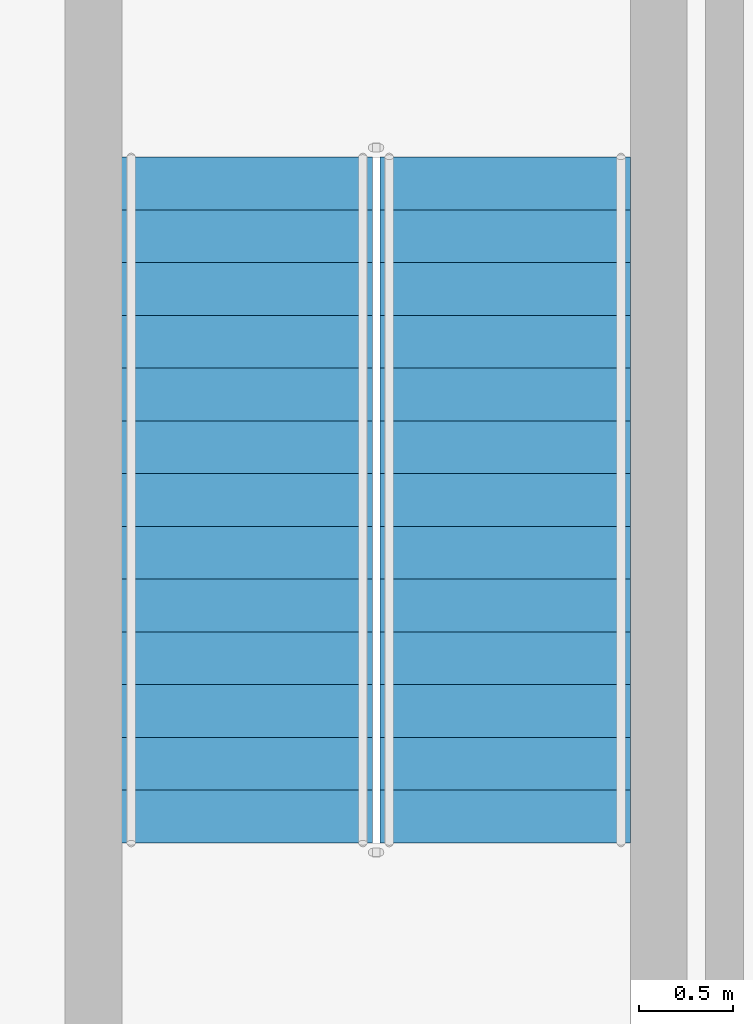
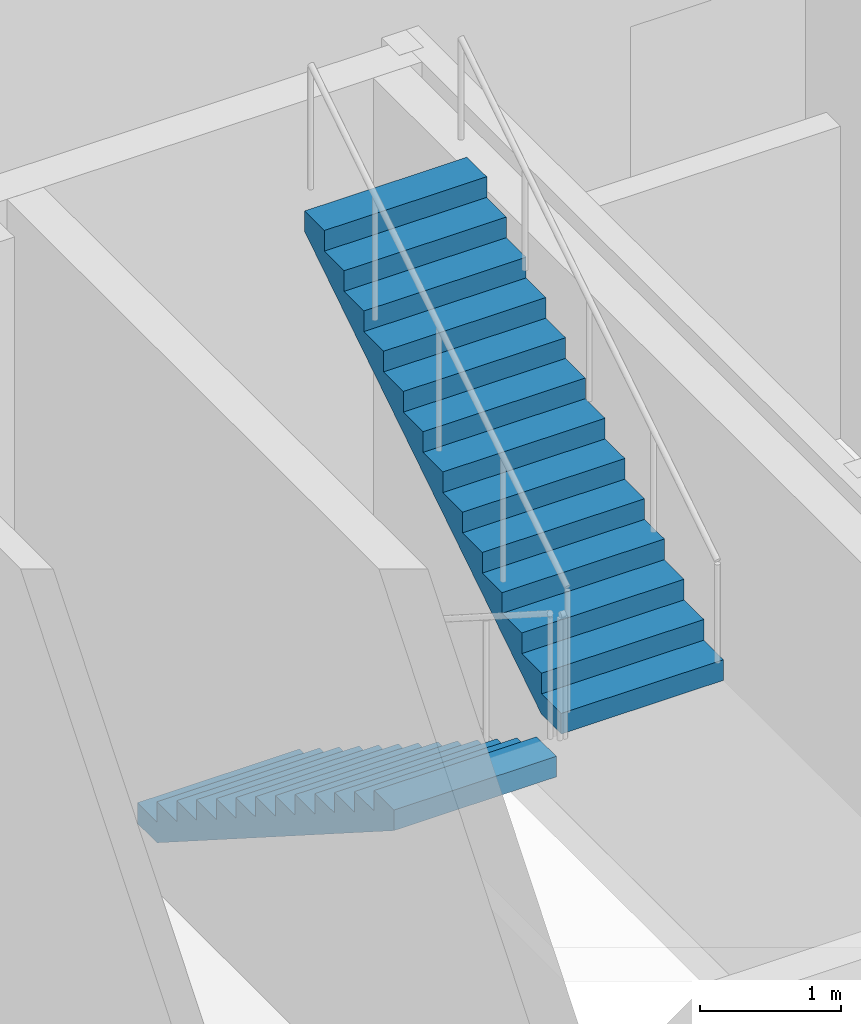
# One storey, part 20 of 35: 2 stair flights, 1 element without a shape of its own.
"""IFC4 building model written with IfcOpenShell, lengths in metres."""

from ifc_helpers import new_model, si_unit, direction, frame, origin, place, context, subcontext, project, spatial, triangles, source, transform, mapped, material, type_object, element, aggregate, save


model = new_model("IFC4")

# Units and contexts
model_context = context("Model", 3, precision=1e-05, world=origin(), true_north=direction((0.0, 1.0)))
body_context = subcontext(model_context, "Body", "Model", "MODEL_VIEW")
ifc_project = project(units=[si_unit("LENGTHUNIT", "METRE"), si_unit("AREAUNIT", "SQUARE_METRE"), si_unit("VOLUMEUNIT", "CUBIC_METRE"), si_unit("PLANEANGLEUNIT", "RADIAN"), si_unit("MASSUNIT", "GRAM", prefix="KILO")], contexts=[model_context])

# Site, building, storey
site_placement = place(None, origin())
site = spatial("IfcSite", under=ifc_project, at=site_placement, CompositionType="ELEMENT")
building_placement = place(site_placement, origin())
building = spatial("IfcBuilding", under=site, at=building_placement, Name="Ogive Portal Towers", CompositionType="ELEMENT")
storey_placement = place(building_placement, frame((0.0, 0.0, 23.5)))
storey = spatial("IfcBuildingStorey", under=building, at=storey_placement, Name="L04", CompositionType="ELEMENT", Elevation=23.5)

# Stair, stair flights
ifc_material = material(Name="Concrete C40/50", Category="concrete")
stair_type = type_object("IfcStairType", Name="INT-STAIR", PredefinedType="HALF_TURN_STAIR", material=ifc_material)
stair_placement = place(storey_placement, origin())
stair = element("IfcStair", 1, at=stair_placement, inside=storey, type_object=stair_type, Name="L04 Exit Stair ST-A4", PredefinedType="HALF_TURN_STAIR")
stair_flight_type = type_object("IfcStairFlightType", Name="INT-FLIGHT", PredefinedType="STRAIGHT", material=ifc_material)
shared_shape = source(origin(), body_context, "Body", "Tessellation", [
    triangles([(0.0, -0.6650390625, 0.0), (0.0, -0.384765625, 0.0), (0.0, -0.197021484375, 0.0), (0.0, -0.0830078125, 0.0), (0.0, -0.024658203125, 0.0), (0.0, -0.003173828125, 0.0), (0.0, 0.0, 0.0), (0.0, 0.003173828125, 0.0), (0.0, 0.024658203125, 0.0), (0.0, 0.0830078125, 0.0), (0.0, 0.197021484375, 0.0), (0.0, 0.384765625, 0.0), (0.0, 0.6650390625, 0.0), (0.0, -0.6650390625, 0.178466796875), (0.0, -0.384765625, 0.178466796875), (0.0, -0.197021484375, 0.178466796875), (0.0, -0.0830078125, 0.178466796875), (0.0, -0.024658203125, 0.178466796875), (0.0, -0.003173828125, 0.178466796875), (0.0, 0.0, 0.178466796875), (0.0, 0.003173828125, 0.178466796875), (0.0, 0.024658203125, 0.178466796875), (0.0, 0.0830078125, 0.178466796875), (0.0, 0.197021484375, 0.178466796875), (0.0, 0.384765625, 0.178466796875), (0.0, 0.6650390625, 0.178466796875), (0.280029296875, -0.6650390625, 0.178466796875), (0.280029296875, -0.384765625, 0.178466796875), (0.280029296875, -0.197021484375, 0.178466796875), (0.280029296875, -0.0830078125, 0.178466796875), (0.280029296875, -0.024658203125, 0.178466796875), (0.280029296875, -0.003173828125, 0.178466796875), (0.280029296875, 0.0, 0.178466796875), (0.280029296875, 0.003173828125, 0.178466796875), (0.280029296875, 0.024658203125, 0.178466796875), (0.280029296875, 0.0830078125, 0.178466796875), (0.280029296875, 0.197021484375, 0.178466796875), (0.280029296875, 0.384765625, 0.178466796875), (0.280029296875, 0.6650390625, 0.178466796875), (0.280029296875, -0.6650390625, 0.357177734375), (0.280029296875, -0.384765625, 0.357177734375), (0.280029296875, -0.197021484375, 0.357177734375), (0.280029296875, -0.0830078125, 0.357177734375), (0.280029296875, -0.024658203125, 0.357177734375), (0.280029296875, -0.003173828125, 0.357177734375), (0.280029296875, 0.0, 0.357177734375), (0.280029296875, 0.003173828125, 0.357177734375), (0.280029296875, 0.024658203125, 0.357177734375), (0.280029296875, 0.0830078125, 0.357177734375), (0.280029296875, 0.197021484375, 0.357177734375), (0.280029296875, 0.384765625, 0.357177734375), (0.280029296875, 0.6650390625, 0.357177734375), (0.56005859375, -0.6650390625, 0.357177734375), (0.56005859375, -0.384765625, 0.357177734375), (0.56005859375, -0.197021484375, 0.357177734375), (0.56005859375, -0.0830078125, 0.357177734375), (0.56005859375, -0.024658203125, 0.357177734375), (0.56005859375, -0.003173828125, 0.357177734375), (0.56005859375, 0.0, 0.357177734375), (0.56005859375, 0.003173828125, 0.357177734375), (0.56005859375, 0.024658203125, 0.357177734375), (0.56005859375, 0.0830078125, 0.357177734375), (0.56005859375, 0.197021484375, 0.357177734375), (0.56005859375, 0.384765625, 0.357177734375), (0.56005859375, 0.6650390625, 0.357177734375), (0.56005859375, -0.6650390625, 0.53564453125), (0.56005859375, -0.384765625, 0.53564453125), (0.56005859375, -0.197021484375, 0.53564453125), (0.56005859375, -0.0830078125, 0.53564453125), (0.56005859375, -0.024658203125, 0.53564453125), (0.56005859375, -0.003173828125, 0.53564453125), (0.56005859375, 0.0, 0.53564453125), (0.56005859375, 0.003173828125, 0.53564453125), (0.56005859375, 0.024658203125, 0.53564453125), (0.56005859375, 0.0830078125, 0.53564453125), (0.56005859375, 0.197021484375, 0.53564453125), (0.56005859375, 0.384765625, 0.53564453125), (0.56005859375, 0.6650390625, 0.53564453125), (0.840087890625, -0.6650390625, 0.53564453125), (0.840087890625, -0.384765625, 0.53564453125), (0.840087890625, -0.197021484375, 0.53564453125), (0.840087890625, -0.0830078125, 0.53564453125), (0.840087890625, -0.024658203125, 0.53564453125), (0.840087890625, -0.003173828125, 0.53564453125), (0.840087890625, 0.0, 0.53564453125), (0.840087890625, 0.003173828125, 0.53564453125), (0.840087890625, 0.024658203125, 0.53564453125), (0.840087890625, 0.0830078125, 0.53564453125), (0.840087890625, 0.197021484375, 0.53564453125), (0.840087890625, 0.384765625, 0.53564453125), (0.840087890625, 0.6650390625, 0.53564453125), (0.840087890625, -0.6650390625, 0.71435546875), (0.840087890625, -0.384765625, 0.71435546875), (0.840087890625, -0.197021484375, 0.71435546875), (0.840087890625, -0.0830078125, 0.71435546875), (0.840087890625, -0.024658203125, 0.71435546875), (0.840087890625, -0.003173828125, 0.71435546875), (0.840087890625, 0.0, 0.71435546875), (0.840087890625, 0.003173828125, 0.71435546875), (0.840087890625, 0.024658203125, 0.71435546875), (0.840087890625, 0.0830078125, 0.71435546875), (0.840087890625, 0.197021484375, 0.71435546875), (0.840087890625, 0.384765625, 0.71435546875), (0.840087890625, 0.6650390625, 0.71435546875), (1.1201171875, -0.6650390625, 0.71435546875), (1.1201171875, -0.384765625, 0.71435546875), (1.1201171875, -0.197021484375, 0.71435546875), (1.1201171875, -0.0830078125, 0.71435546875), (1.1201171875, -0.024658203125, 0.71435546875), (1.1201171875, -0.003173828125, 0.71435546875), (1.1201171875, 0.0, 0.71435546875), (1.1201171875, 0.003173828125, 0.71435546875), (1.1201171875, 0.024658203125, 0.71435546875), (1.1201171875, 0.0830078125, 0.71435546875), (1.1201171875, 0.197021484375, 0.71435546875), (1.1201171875, 0.384765625, 0.71435546875), (1.1201171875, 0.6650390625, 0.71435546875), (1.1201171875, -0.6650390625, 0.892822265625), (1.1201171875, -0.384765625, 0.892822265625), (1.1201171875, -0.197021484375, 0.892822265625), (1.1201171875, -0.0830078125, 0.892822265625), (1.1201171875, -0.024658203125, 0.892822265625), (1.1201171875, -0.003173828125, 0.892822265625), (1.1201171875, 0.0, 0.892822265625), (1.1201171875, 0.003173828125, 0.892822265625), (1.1201171875, 0.024658203125, 0.892822265625), (1.1201171875, 0.0830078125, 0.892822265625), (1.1201171875, 0.197021484375, 0.892822265625), (1.1201171875, 0.384765625, 0.892822265625), (1.1201171875, 0.6650390625, 0.892822265625), (1.39990234375, -0.6650390625, 0.892822265625), (1.39990234375, -0.384765625, 0.892822265625), (1.39990234375, -0.197021484375, 0.892822265625), (1.39990234375, -0.0830078125, 0.892822265625), (1.39990234375, -0.024658203125, 0.892822265625), (1.39990234375, -0.003173828125, 0.892822265625), (1.39990234375, 0.0, 0.892822265625), (1.39990234375, 0.003173828125, 0.892822265625), (1.39990234375, 0.024658203125, 0.892822265625), (1.39990234375, 0.0830078125, 0.892822265625), (1.39990234375, 0.197021484375, 0.892822265625), (1.39990234375, 0.384765625, 0.892822265625), (1.39990234375, 0.6650390625, 0.892822265625), (1.39990234375, -0.6650390625, 1.071533203125), (1.39990234375, -0.384765625, 1.071533203125), (1.39990234375, -0.197021484375, 1.071533203125), (1.39990234375, -0.0830078125, 1.071533203125), (1.39990234375, -0.024658203125, 1.071533203125), (1.39990234375, -0.003173828125, 1.071533203125), (1.39990234375, 0.0, 1.071533203125), (1.39990234375, 0.003173828125, 1.071533203125), (1.39990234375, 0.024658203125, 1.071533203125), (1.39990234375, 0.0830078125, 1.071533203125), (1.39990234375, 0.197021484375, 1.071533203125), (1.39990234375, 0.384765625, 1.071533203125), (1.39990234375, 0.6650390625, 1.071533203125), (1.679931640625, -0.6650390625, 1.071533203125), (1.679931640625, -0.384765625, 1.071533203125), (1.679931640625, -0.197021484375, 1.071533203125), (1.679931640625, -0.0830078125, 1.071533203125), (1.679931640625, -0.024658203125, 1.071533203125), (1.679931640625, -0.003173828125, 1.071533203125), (1.679931640625, 0.0, 1.071533203125), (1.679931640625, 0.003173828125, 1.071533203125), (1.679931640625, 0.024658203125, 1.071533203125), (1.679931640625, 0.0830078125, 1.071533203125), (1.679931640625, 0.197021484375, 1.071533203125), (1.679931640625, 0.384765625, 1.071533203125), (1.679931640625, 0.6650390625, 1.071533203125), (1.679931640625, -0.6650390625, 1.25), (1.679931640625, -0.384765625, 1.25), (1.679931640625, -0.197021484375, 1.25), (1.679931640625, -0.0830078125, 1.25), (1.679931640625, -0.024658203125, 1.25), (1.679931640625, -0.003173828125, 1.25), (1.679931640625, 0.0, 1.25), (1.679931640625, 0.003173828125, 1.25), (1.679931640625, 0.024658203125, 1.25), (1.679931640625, 0.0830078125, 1.25), (1.679931640625, 0.197021484375, 1.25), (1.679931640625, 0.384765625, 1.25), (1.679931640625, 0.6650390625, 1.25), (1.9599609375, -0.6650390625, 1.25), (1.9599609375, -0.384765625, 1.25), (1.9599609375, -0.197021484375, 1.25), (1.9599609375, -0.0830078125, 1.25), (1.9599609375, -0.024658203125, 1.25), (1.9599609375, -0.003173828125, 1.25), (1.9599609375, 0.0, 1.25), (1.9599609375, 0.003173828125, 1.25), (1.9599609375, 0.024658203125, 1.25), (1.9599609375, 0.0830078125, 1.25), (1.9599609375, 0.197021484375, 1.25), (1.9599609375, 0.384765625, 1.25), (1.9599609375, 0.6650390625, 1.25), (1.9599609375, -0.6650390625, 1.428466796875), (1.9599609375, -0.384765625, 1.428466796875), (1.9599609375, -0.197021484375, 1.428466796875), (1.9599609375, -0.0830078125, 1.428466796875), (1.9599609375, -0.024658203125, 1.428466796875), (1.9599609375, -0.003173828125, 1.428466796875), (1.9599609375, 0.0, 1.428466796875), (1.9599609375, 0.003173828125, 1.428466796875), (1.9599609375, 0.024658203125, 1.428466796875), (1.9599609375, 0.0830078125, 1.428466796875), (1.9599609375, 0.197021484375, 1.428466796875), (1.9599609375, 0.384765625, 1.428466796875), (1.9599609375, 0.6650390625, 1.428466796875), (2.239990234375, -0.6650390625, 1.428466796875), (2.239990234375, -0.384765625, 1.428466796875), (2.239990234375, -0.197021484375, 1.428466796875), (2.239990234375, -0.0830078125, 1.428466796875), (2.239990234375, -0.024658203125, 1.428466796875), (2.239990234375, -0.003173828125, 1.428466796875), (2.239990234375, 0.0, 1.428466796875), (2.239990234375, 0.003173828125, 1.428466796875), (2.239990234375, 0.024658203125, 1.428466796875), (2.239990234375, 0.0830078125, 1.428466796875), (2.239990234375, 0.197021484375, 1.428466796875), (2.239990234375, 0.384765625, 1.428466796875), (2.239990234375, 0.6650390625, 1.428466796875), (2.239990234375, -0.6650390625, 1.607177734375), (2.239990234375, -0.384765625, 1.607177734375), (2.239990234375, -0.197021484375, 1.607177734375), (2.239990234375, -0.0830078125, 1.607177734375), (2.239990234375, -0.024658203125, 1.607177734375), (2.239990234375, -0.003173828125, 1.607177734375), (2.239990234375, 0.0, 1.607177734375), (2.239990234375, 0.003173828125, 1.607177734375), (2.239990234375, 0.024658203125, 1.607177734375), (2.239990234375, 0.0830078125, 1.607177734375), (2.239990234375, 0.197021484375, 1.607177734375), (2.239990234375, 0.384765625, 1.607177734375), (2.239990234375, 0.6650390625, 1.607177734375), (2.52001953125, -0.6650390625, 1.607177734375), (2.52001953125, -0.384765625, 1.607177734375), (2.52001953125, -0.197021484375, 1.607177734375), (2.52001953125, -0.0830078125, 1.607177734375), (2.52001953125, -0.024658203125, 1.607177734375), (2.52001953125, -0.003173828125, 1.607177734375), (2.52001953125, 0.0, 1.607177734375), (2.52001953125, 0.003173828125, 1.607177734375), (2.52001953125, 0.024658203125, 1.607177734375), (2.52001953125, 0.0830078125, 1.607177734375), (2.52001953125, 0.197021484375, 1.607177734375), (2.52001953125, 0.384765625, 1.607177734375), (2.52001953125, 0.6650390625, 1.607177734375), (2.52001953125, -0.6650390625, 1.78564453125), (2.52001953125, -0.384765625, 1.78564453125), (2.52001953125, -0.197021484375, 1.78564453125), (2.52001953125, -0.0830078125, 1.78564453125), (2.52001953125, -0.024658203125, 1.78564453125), (2.52001953125, -0.003173828125, 1.78564453125), (2.52001953125, 0.0, 1.78564453125), (2.52001953125, 0.003173828125, 1.78564453125), (2.52001953125, 0.024658203125, 1.78564453125), (2.52001953125, 0.0830078125, 1.78564453125), (2.52001953125, 0.197021484375, 1.78564453125), (2.52001953125, 0.384765625, 1.78564453125), (2.52001953125, 0.6650390625, 1.78564453125), (2.800048828125, -0.6650390625, 1.78564453125), (2.800048828125, -0.384765625, 1.78564453125), (2.800048828125, -0.197021484375, 1.78564453125), (2.800048828125, -0.0830078125, 1.78564453125), (2.800048828125, -0.024658203125, 1.78564453125), (2.800048828125, -0.003173828125, 1.78564453125), (2.800048828125, 0.0, 1.78564453125), (2.800048828125, 0.003173828125, 1.78564453125), (2.800048828125, 0.024658203125, 1.78564453125), (2.800048828125, 0.0830078125, 1.78564453125), (2.800048828125, 0.197021484375, 1.78564453125), (2.800048828125, 0.384765625, 1.78564453125), (2.800048828125, 0.6650390625, 1.78564453125), (2.800048828125, -0.6650390625, 1.96435546875), (2.800048828125, -0.384765625, 1.96435546875), (2.800048828125, -0.197021484375, 1.96435546875), (2.800048828125, -0.0830078125, 1.96435546875), (2.800048828125, -0.024658203125, 1.96435546875), (2.800048828125, -0.003173828125, 1.96435546875), (2.800048828125, 0.0, 1.96435546875), (2.800048828125, 0.003173828125, 1.96435546875), (2.800048828125, 0.024658203125, 1.96435546875), (2.800048828125, 0.0830078125, 1.96435546875), (2.800048828125, 0.197021484375, 1.96435546875), (2.800048828125, 0.384765625, 1.96435546875), (2.800048828125, 0.6650390625, 1.96435546875), (3.080078125, -0.6650390625, 1.96435546875), (3.080078125, -0.384765625, 1.96435546875), (3.080078125, -0.197021484375, 1.96435546875), (3.080078125, -0.0830078125, 1.96435546875), (3.080078125, -0.024658203125, 1.96435546875), (3.080078125, -0.003173828125, 1.96435546875), (3.080078125, 0.0, 1.96435546875), (3.080078125, 0.003173828125, 1.96435546875), (3.080078125, 0.024658203125, 1.96435546875), (3.080078125, 0.0830078125, 1.96435546875), (3.080078125, 0.197021484375, 1.96435546875), (3.080078125, 0.384765625, 1.96435546875), (3.080078125, 0.6650390625, 1.96435546875), (3.080078125, -0.6650390625, 2.142822265625), (3.080078125, -0.384765625, 2.142822265625), (3.080078125, -0.197021484375, 2.142822265625), (3.080078125, -0.0830078125, 2.142822265625), (3.080078125, -0.024658203125, 2.142822265625), (3.080078125, -0.003173828125, 2.142822265625), (3.080078125, 0.0, 2.142822265625), (3.080078125, 0.003173828125, 2.142822265625), (3.080078125, 0.024658203125, 2.142822265625), (3.080078125, 0.0830078125, 2.142822265625), (3.080078125, 0.197021484375, 2.142822265625), (3.080078125, 0.384765625, 2.142822265625), (3.080078125, 0.6650390625, 2.142822265625), (3.360107421875, -0.6650390625, 2.142822265625), (3.360107421875, -0.384765625, 2.142822265625), (3.360107421875, -0.197021484375, 2.142822265625), (3.360107421875, -0.0830078125, 2.142822265625), (3.360107421875, -0.024658203125, 2.142822265625), (3.360107421875, -0.003173828125, 2.142822265625), (3.360107421875, 0.0, 2.142822265625), (3.360107421875, 0.003173828125, 2.142822265625), (3.360107421875, 0.024658203125, 2.142822265625), (3.360107421875, 0.0830078125, 2.142822265625), (3.360107421875, 0.197021484375, 2.142822265625), (3.360107421875, 0.384765625, 2.142822265625), (3.360107421875, 0.6650390625, 2.142822265625), (3.360107421875, -0.6650390625, 2.321533203125), (3.360107421875, -0.384765625, 2.321533203125), (3.360107421875, -0.197021484375, 2.321533203125), (3.360107421875, -0.0830078125, 2.321533203125), (3.360107421875, -0.024658203125, 2.321533203125), (3.360107421875, -0.003173828125, 2.321533203125), (3.360107421875, 0.0, 2.321533203125), (3.360107421875, 0.003173828125, 2.321533203125), (3.360107421875, 0.024658203125, 2.321533203125), (3.360107421875, 0.0830078125, 2.321533203125), (3.360107421875, 0.197021484375, 2.321533203125), (3.360107421875, 0.384765625, 2.321533203125), (3.360107421875, 0.6650390625, 2.321533203125), (3.639892578125, -0.6650390625, 2.321533203125), (3.639892578125, -0.384765625, 2.321533203125), (3.639892578125, -0.197021484375, 2.321533203125), (3.639892578125, -0.0830078125, 2.321533203125), (3.639892578125, -0.024658203125, 2.321533203125), (3.639892578125, -0.003173828125, 2.321533203125), (3.639892578125, 0.0, 2.321533203125), (3.639892578125, 0.003173828125, 2.321533203125), (3.639892578125, 0.024658203125, 2.321533203125), (3.639892578125, 0.0830078125, 2.321533203125), (3.639892578125, 0.197021484375, 2.321533203125), (3.639892578125, 0.384765625, 2.321533203125), (3.639892578125, 0.6650390625, 2.321533203125), (3.639892578125, -0.6650390625, 2.1435546875), (3.639892578125, -0.384765625, 2.1435546875), (3.639892578125, -0.197021484375, 2.1435546875), (3.639892578125, -0.0830078125, 2.1435546875), (3.639892578125, -0.024658203125, 2.1435546875), (3.639892578125, -0.003173828125, 2.1435546875), (3.639892578125, 0.0, 2.1435546875), (3.639892578125, 0.003173828125, 2.1435546875), (3.639892578125, 0.024658203125, 2.1435546875), (3.639892578125, 0.0830078125, 2.1435546875), (3.639892578125, 0.197021484375, 2.1435546875), (3.639892578125, 0.384765625, 2.1435546875), (3.639892578125, 0.6650390625, 2.1435546875), (0.27880859375, -0.6650390625, 0.0), (0.27880859375, -0.384765625, 0.0), (0.27880859375, -0.197021484375, 0.0), (0.27880859375, -0.0830078125, 0.0), (0.27880859375, -0.024658203125, 0.0), (0.27880859375, -0.003173828125, 0.0), (0.27880859375, 0.0, 0.0), (0.27880859375, 0.003173828125, 0.0), (0.27880859375, 0.024658203125, 0.0), (0.27880859375, 0.0830078125, 0.0), (0.27880859375, 0.197021484375, 0.0), (0.27880859375, 0.384765625, 0.0), (0.27880859375, 0.6650390625, 0.0)], [[1, 14, 15], [1, 15, 2], [2, 15, 16], [2, 16, 3], [3, 16, 17], [3, 17, 4], [4, 17, 18], [4, 18, 5], [5, 18, 19], [5, 19, 6], [6, 19, 20], [6, 20, 7], [7, 20, 21], [7, 21, 8], [8, 21, 22], [8, 22, 9], [9, 22, 23], [9, 23, 10], [10, 23, 24], [10, 24, 11], [11, 24, 25], [11, 25, 12], [12, 25, 26], [12, 26, 13], [14, 27, 28], [14, 28, 15], [15, 28, 29], [15, 29, 16], [16, 29, 30], [16, 30, 17], [17, 30, 31], [17, 31, 18], [18, 31, 32], [18, 32, 19], [19, 32, 33], [19, 33, 20], [20, 33, 34], [20, 34, 21], [21, 34, 35], [21, 35, 22], [22, 35, 36], [22, 36, 23], [23, 36, 37], [23, 37, 24], [24, 37, 38], [24, 38, 25], [25, 38, 39], [25, 39, 26], [27, 40, 41], [27, 41, 28], [28, 41, 42], [28, 42, 29], [29, 42, 43], [29, 43, 30], [30, 43, 44], [30, 44, 31], [31, 44, 45], [31, 45, 32], [32, 45, 46], [32, 46, 33], [33, 46, 47], [33, 47, 34], [34, 47, 48], [34, 48, 35], [35, 48, 49], [35, 49, 36], [36, 49, 50], [36, 50, 37], [37, 50, 51], [37, 51, 38], [38, 51, 52], [38, 52, 39], [40, 53, 54], [40, 54, 41], [41, 54, 55], [41, 55, 42], [42, 55, 56], [42, 56, 43], [43, 56, 57], [43, 57, 44], [44, 57, 58], [44, 58, 45], [45, 58, 59], [45, 59, 46], [46, 59, 60], [46, 60, 47], [47, 60, 61], [47, 61, 48], [48, 61, 62], [48, 62, 49], [49, 62, 63], [49, 63, 50], [50, 63, 64], [50, 64, 51], [51, 64, 65], [51, 65, 52], [53, 66, 67], [53, 67, 54], [54, 67, 68], [54, 68, 55], [55, 68, 69], [55, 69, 56], [56, 69, 70], [56, 70, 57], [57, 70, 71], [57, 71, 58], [58, 71, 72], [58, 72, 59], [59, 72, 73], [59, 73, 60], [60, 73, 74], [60, 74, 61], [61, 74, 75], [61, 75, 62], [62, 75, 76], [62, 76, 63], [63, 76, 77], [63, 77, 64], [64, 77, 78], [64, 78, 65], [66, 79, 80], [66, 80, 67], [67, 80, 81], [67, 81, 68], [68, 81, 82], [68, 82, 69], [69, 82, 83], [69, 83, 70], [70, 83, 84], [70, 84, 71], [71, 84, 85], [71, 85, 72], [72, 85, 86], [72, 86, 73], [73, 86, 87], [73, 87, 74], [74, 87, 88], [74, 88, 75], [75, 88, 89], [75, 89, 76], [76, 89, 90], [76, 90, 77], [77, 90, 91], [77, 91, 78], [79, 92, 93], [79, 93, 80], [80, 93, 94], [80, 94, 81], [81, 94, 95], [81, 95, 82], [82, 95, 96], [82, 96, 83], [83, 96, 97], [83, 97, 84], [84, 97, 98], [84, 98, 85], [85, 98, 99], [85, 99, 86], [86, 99, 100], [86, 100, 87], [87, 100, 101], [87, 101, 88], [88, 101, 102], [88, 102, 89], [89, 102, 103], [89, 103, 90], [90, 103, 104], [90, 104, 91], [92, 105, 106], [92, 106, 93], [93, 106, 107], [93, 107, 94], [94, 107, 108], [94, 108, 95], [95, 108, 109], [95, 109, 96], [96, 109, 110], [96, 110, 97], [97, 110, 111], [97, 111, 98], [98, 111, 112], [98, 112, 99], [99, 112, 113], [99, 113, 100], [100, 113, 114], [100, 114, 101], [101, 114, 115], [101, 115, 102], [102, 115, 116], [102, 116, 103], [103, 116, 117], [103, 117, 104], [105, 118, 119], [105, 119, 106], [106, 119, 120], [106, 120, 107], [107, 120, 121], [107, 121, 108], [108, 121, 122], [108, 122, 109], [109, 122, 123], [109, 123, 110], [110, 123, 124], [110, 124, 111], [111, 124, 125], [111, 125, 112], [112, 125, 126], [112, 126, 113], [113, 126, 127], [113, 127, 114], [114, 127, 128], [114, 128, 115], [115, 128, 129], [115, 129, 116], [116, 129, 130], [116, 130, 117], [118, 131, 132], [118, 132, 119], [119, 132, 133], [119, 133, 120], [120, 133, 134], [120, 134, 121], [121, 134, 135], [121, 135, 122], [122, 135, 136], [122, 136, 123], [123, 136, 137], [123, 137, 124], [124, 137, 138], [124, 138, 125], [125, 138, 139], [125, 139, 126], [126, 139, 140], [126, 140, 127], [127, 140, 141], [127, 141, 128], [128, 141, 142], [128, 142, 129], [129, 142, 143], [129, 143, 130], [131, 144, 145], [131, 145, 132], [132, 145, 146], [132, 146, 133], [133, 146, 147], [133, 147, 134], [134, 147, 148], [134, 148, 135], [135, 148, 149], [135, 149, 136], [136, 149, 150], [136, 150, 137], [137, 150, 151], [137, 151, 138], [138, 151, 152], [138, 152, 139], [139, 152, 153], [139, 153, 140], [140, 153, 154], [140, 154, 141], [141, 154, 155], [141, 155, 142], [142, 155, 156], [142, 156, 143], [144, 157, 158], [144, 158, 145], [145, 158, 159], [145, 159, 146], [146, 159, 160], [146, 160, 147], [147, 160, 161], [147, 161, 148], [148, 161, 162], [148, 162, 149], [149, 162, 163], [149, 163, 150], [150, 163, 164], [150, 164, 151], [151, 164, 165], [151, 165, 152], [152, 165, 166], [152, 166, 153], [153, 166, 167], [153, 167, 154], [154, 167, 168], [154, 168, 155], [155, 168, 169], [155, 169, 156], [157, 170, 171], [157, 171, 158], [158, 171, 172], [158, 172, 159], [159, 172, 173], [159, 173, 160], [160, 173, 174], [160, 174, 161], [161, 174, 175], [161, 175, 162], [162, 175, 176], [162, 176, 163], [163, 176, 177], [163, 177, 164], [164, 177, 178], [164, 178, 165], [165, 178, 179], [165, 179, 166], [166, 179, 180], [166, 180, 167], [167, 180, 181], [167, 181, 168], [168, 181, 182], [168, 182, 169], [170, 183, 184], [170, 184, 171], [171, 184, 185], [171, 185, 172], [172, 185, 186], [172, 186, 173], [173, 186, 187], [173, 187, 174], [174, 187, 188], [174, 188, 175], [175, 188, 189], [175, 189, 176], [176, 189, 190], [176, 190, 177], [177, 190, 191], [177, 191, 178], [178, 191, 192], [178, 192, 179], [179, 192, 193], [179, 193, 180], [180, 193, 194], [180, 194, 181], [181, 194, 195], [181, 195, 182], [183, 196, 197], [183, 197, 184], [184, 197, 198], [184, 198, 185], [185, 198, 199], [185, 199, 186], [186, 199, 200], [186, 200, 187], [187, 200, 201], [187, 201, 188], [188, 201, 202], [188, 202, 189], [189, 202, 203], [189, 203, 190], [190, 203, 204], [190, 204, 191], [191, 204, 205], [191, 205, 192], [192, 205, 206], [192, 206, 193], [193, 206, 207], [193, 207, 194], [194, 207, 208], [194, 208, 195], [196, 209, 210], [196, 210, 197], [197, 210, 211], [197, 211, 198], [198, 211, 212], [198, 212, 199], [199, 212, 213], [199, 213, 200], [200, 213, 214], [200, 214, 201], [201, 214, 215], [201, 215, 202], [202, 215, 216], [202, 216, 203], [203, 216, 217], [203, 217, 204], [204, 217, 218], [204, 218, 205], [205, 218, 219], [205, 219, 206], [206, 219, 220], [206, 220, 207], [207, 220, 221], [207, 221, 208], [209, 222, 223], [209, 223, 210], [210, 223, 224], [210, 224, 211], [211, 224, 225], [211, 225, 212], [212, 225, 226], [212, 226, 213], [213, 226, 227], [213, 227, 214], [214, 227, 228], [214, 228, 215], [215, 228, 229], [215, 229, 216], [216, 229, 230], [216, 230, 217], [217, 230, 231], [217, 231, 218], [218, 231, 232], [218, 232, 219], [219, 232, 233], [219, 233, 220], [220, 233, 234], [220, 234, 221], [222, 235, 236], [222, 236, 223], [223, 236, 237], [223, 237, 224], [224, 237, 238], [224, 238, 225], [225, 238, 239], [225, 239, 226], [226, 239, 240], [226, 240, 227], [227, 240, 241], [227, 241, 228], [228, 241, 242], [228, 242, 229], [229, 242, 243], [229, 243, 230], [230, 243, 244], [230, 244, 231], [231, 244, 245], [231, 245, 232], [232, 245, 246], [232, 246, 233], [233, 246, 247], [233, 247, 234], [235, 248, 249], [235, 249, 236], [236, 249, 250], [236, 250, 237], [237, 250, 251], [237, 251, 238], [238, 251, 252], [238, 252, 239], [239, 252, 253], [239, 253, 240], [240, 253, 254], [240, 254, 241], [241, 254, 255], [241, 255, 242], [242, 255, 256], [242, 256, 243], [243, 256, 257], [243, 257, 244], [244, 257, 258], [244, 258, 245], [245, 258, 259], [245, 259, 246], [246, 259, 260], [246, 260, 247], [248, 261, 262], [248, 262, 249], [249, 262, 263], [249, 263, 250], [250, 263, 264], [250, 264, 251], [251, 264, 265], [251, 265, 252], [252, 265, 266], [252, 266, 253], [253, 266, 267], [253, 267, 254], [254, 267, 268], [254, 268, 255], [255, 268, 269], [255, 269, 256], [256, 269, 270], [256, 270, 257], [257, 270, 271], [257, 271, 258], [258, 271, 272], [258, 272, 259], [259, 272, 273], [259, 273, 260], [261, 274, 275], [261, 275, 262], [262, 275, 276], [262, 276, 263], [263, 276, 277], [263, 277, 264], [264, 277, 278], [264, 278, 265], [265, 278, 279], [265, 279, 266], [266, 279, 280], [266, 280, 267], [267, 280, 281], [267, 281, 268], [268, 281, 282], [268, 282, 269], [269, 282, 283], [269, 283, 270], [270, 283, 284], [270, 284, 271], [271, 284, 285], [271, 285, 272], [272, 285, 286], [272, 286, 273], [274, 287, 288], [274, 288, 275], [275, 288, 289], [275, 289, 276], [276, 289, 290], [276, 290, 277], [277, 290, 291], [277, 291, 278], [278, 291, 292], [278, 292, 279], [279, 292, 293], [279, 293, 280], [280, 293, 294], [280, 294, 281], [281, 294, 295], [281, 295, 282], [282, 295, 296], [282, 296, 283], [283, 296, 297], [283, 297, 284], [284, 297, 298], [284, 298, 285], [285, 298, 299], [285, 299, 286], [287, 300, 301], [287, 301, 288], [288, 301, 302], [288, 302, 289], [289, 302, 303], [289, 303, 290], [290, 303, 304], [290, 304, 291], [291, 304, 305], [291, 305, 292], [292, 305, 306], [292, 306, 293], [293, 306, 307], [293, 307, 294], [294, 307, 308], [294, 308, 295], [295, 308, 309], [295, 309, 296], [296, 309, 310], [296, 310, 297], [297, 310, 311], [297, 311, 298], [298, 311, 312], [298, 312, 299], [300, 313, 314], [300, 314, 301], [301, 314, 315], [301, 315, 302], [302, 315, 316], [302, 316, 303], [303, 316, 317], [303, 317, 304], [304, 317, 318], [304, 318, 305], [305, 318, 319], [305, 319, 306], [306, 319, 320], [306, 320, 307], [307, 320, 321], [307, 321, 308], [308, 321, 322], [308, 322, 309], [309, 322, 323], [309, 323, 310], [310, 323, 324], [310, 324, 311], [311, 324, 325], [311, 325, 312], [313, 326, 327], [313, 327, 314], [314, 327, 328], [314, 328, 315], [315, 328, 329], [315, 329, 316], [316, 329, 330], [316, 330, 317], [317, 330, 331], [317, 331, 318], [318, 331, 332], [318, 332, 319], [319, 332, 333], [319, 333, 320], [320, 333, 334], [320, 334, 321], [321, 334, 335], [321, 335, 322], [322, 335, 336], [322, 336, 323], [323, 336, 337], [323, 337, 324], [324, 337, 338], [324, 338, 325], [326, 339, 340], [326, 340, 327], [327, 340, 341], [327, 341, 328], [328, 341, 342], [328, 342, 329], [329, 342, 343], [329, 343, 330], [330, 343, 344], [330, 344, 331], [331, 344, 345], [331, 345, 332], [332, 345, 346], [332, 346, 333], [333, 346, 347], [333, 347, 334], [334, 347, 348], [334, 348, 335], [335, 348, 349], [335, 349, 336], [336, 349, 350], [336, 350, 337], [337, 350, 351], [337, 351, 338], [339, 352, 353], [339, 353, 340], [340, 353, 354], [340, 354, 341], [341, 354, 355], [341, 355, 342], [342, 355, 356], [342, 356, 343], [343, 356, 357], [343, 357, 344], [344, 357, 358], [344, 358, 345], [345, 358, 359], [345, 359, 346], [346, 359, 360], [346, 360, 347], [347, 360, 361], [347, 361, 348], [348, 361, 362], [348, 362, 349], [349, 362, 363], [349, 363, 350], [350, 363, 364], [350, 364, 351], [352, 365, 366], [352, 366, 353], [353, 366, 367], [353, 367, 354], [354, 367, 368], [354, 368, 355], [355, 368, 369], [355, 369, 356], [356, 369, 370], [356, 370, 357], [357, 370, 371], [357, 371, 358], [358, 371, 372], [358, 372, 359], [359, 372, 373], [359, 373, 360], [360, 373, 374], [360, 374, 361], [361, 374, 375], [361, 375, 362], [362, 375, 376], [362, 376, 363], [363, 376, 377], [363, 377, 364], [365, 1, 2], [365, 2, 366], [366, 2, 3], [366, 3, 367], [367, 3, 4], [367, 4, 368], [368, 4, 5], [368, 5, 369], [369, 5, 6], [369, 6, 370], [370, 6, 7], [370, 7, 371], [371, 7, 8], [371, 8, 372], [372, 8, 9], [372, 9, 373], [373, 9, 10], [373, 10, 374], [374, 10, 11], [374, 11, 375], [375, 11, 12], [375, 12, 376], [376, 12, 13], [376, 13, 377], [1, 365, 352], [13, 364, 377], [352, 339, 326], [364, 338, 351], [352, 326, 313], [364, 325, 338], [313, 300, 287], [325, 299, 312], [352, 313, 287], [364, 299, 325], [287, 274, 261], [299, 273, 286], [352, 287, 261], [364, 273, 299], [261, 248, 235], [273, 247, 260], [352, 261, 235], [364, 247, 273], [235, 222, 209], [247, 221, 234], [352, 235, 209], [364, 221, 247], [209, 196, 183], [221, 195, 208], [352, 209, 183], [364, 195, 221], [183, 170, 157], [195, 169, 182], [352, 183, 157], [364, 169, 195], [157, 144, 131], [169, 143, 156], [352, 157, 131], [364, 143, 169], [131, 118, 105], [143, 117, 130], [352, 131, 105], [364, 117, 143], [105, 92, 79], [117, 91, 104], [352, 105, 79], [364, 91, 117], [79, 66, 53], [91, 65, 78], [352, 79, 53], [364, 65, 91], [53, 40, 27], [65, 39, 52], [352, 53, 27], [364, 39, 65], [1, 352, 27], [13, 39, 364], [27, 14, 1], [39, 13, 26]], closed=True),
])
stair_flight_1_placement = place(storey_placement, frame((87.6650390625, 29.169921875, 0.0), z_axis=(0.0, 0.0, 1.0), x_axis=(0.0, -1.0, 0.0)))
stair_flight_1 = element("IfcStairFlight", 2, at=stair_flight_1_placement, type_object=stair_flight_type, Name="ST-A4 flight 1", NumberOfRisers=14, NumberOfTreads=13, PredefinedType="STRAIGHT", RiserHeight=0.178571429, TreadLength=0.28, context=body_context, shape_type="MappedRepresentation", body=[
    mapped(shared_shape, transform((0.0, 0.0, 0.0), scale=1.0)),
])
stair_flight_2_placement = place(storey_placement, frame((89.034912109375, 25.530029296875, 2.5), z_axis=(0.0, 0.0, 1.0), x_axis=(0.0, 1.0, 0.0)))
stair_flight_2 = element("IfcStairFlight", 3, at=stair_flight_2_placement, type_object=stair_flight_type, Name="ST-A4 flight 2", NumberOfRisers=14, NumberOfTreads=13, PredefinedType="STRAIGHT", RiserHeight=0.178571429, TreadLength=0.28, context=body_context, shape_type="MappedRepresentation", body=[
    mapped(shared_shape, transform((0.0, 0.0, 0.0), scale=1.0)),
])
aggregate(stair, [stair_flight_1, stair_flight_2])

save(model, "model.ifc")
